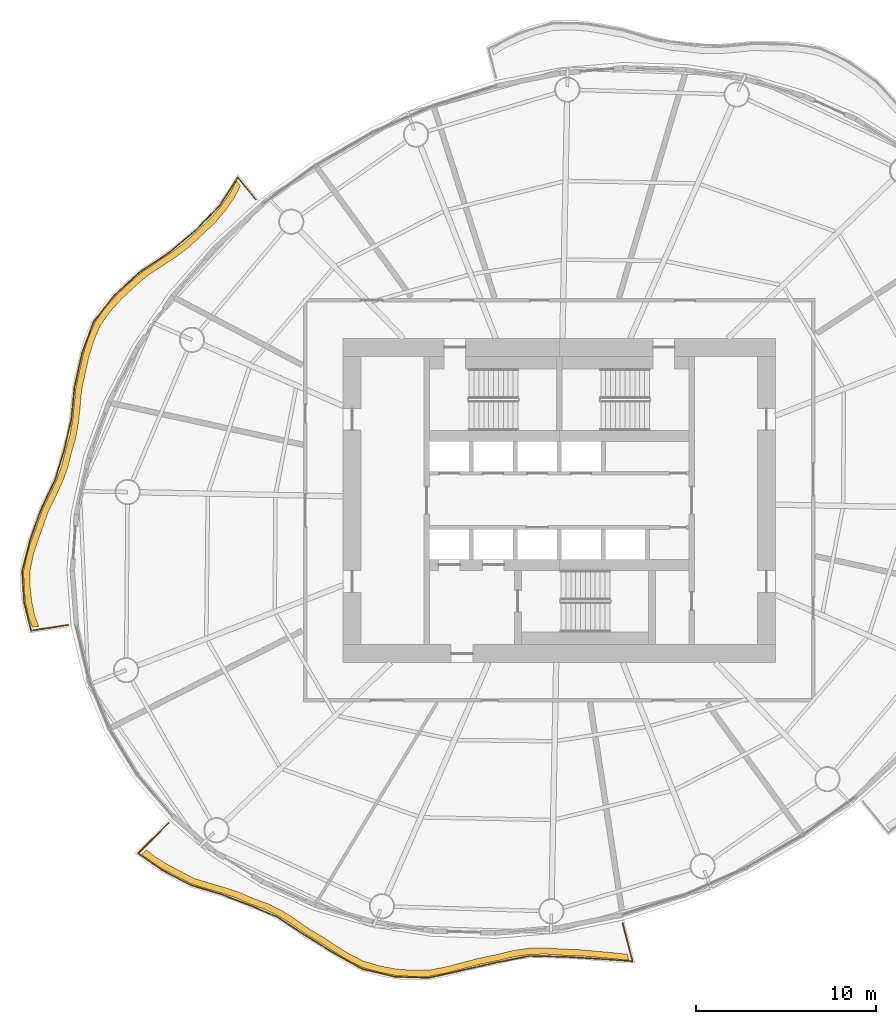
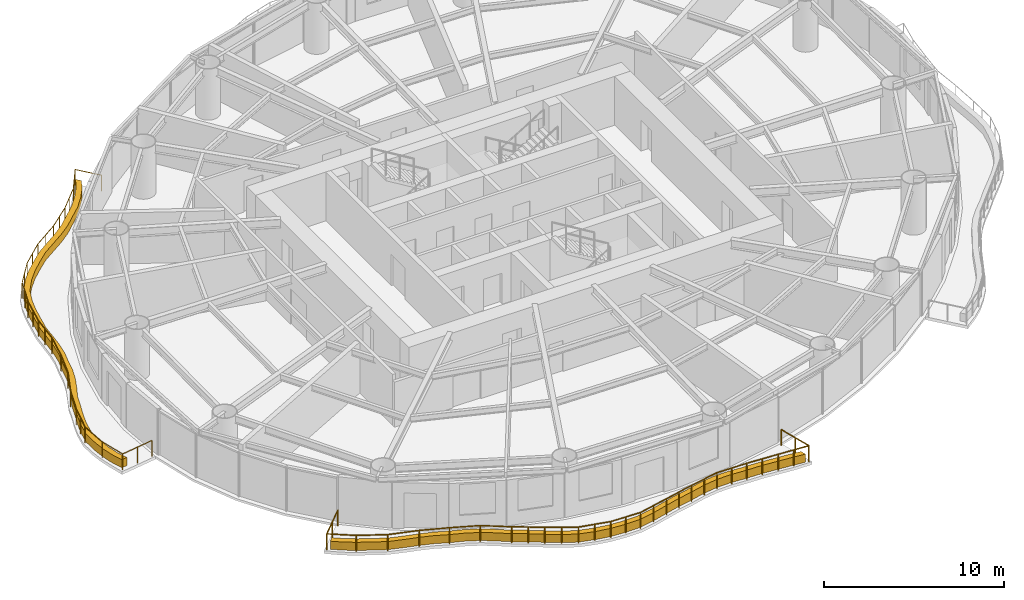
# One storey, part 12 of 14: 2 coverings, 2 railings.
"""IFC4 building model written with IfcOpenShell, lengths in metres."""

from ifc_helpers import new_model, si_unit, direction, frame, origin, origin_2d, place, context, subcontext, project, spatial, polyline, circle, outline, extrude, material, type_object, element, save


model = new_model("IFC4")

# Units and contexts
model_context = context("Model", 3, precision=1e-05, world=origin(), true_north=direction((0.0, 1.0)))
body_context = subcontext(model_context, "Body", "Model", "MODEL_VIEW")
ifc_project = project(units=[si_unit("LENGTHUNIT", "METRE"), si_unit("AREAUNIT", "SQUARE_METRE"), si_unit("VOLUMEUNIT", "CUBIC_METRE"), si_unit("PLANEANGLEUNIT", "RADIAN"), si_unit("MASSUNIT", "GRAM", prefix="KILO")], contexts=[model_context])

# Site, building, storey
site_placement = place(None, origin())
site = spatial("IfcSite", under=ifc_project, at=site_placement, CompositionType="ELEMENT")
building_placement = place(site_placement, origin())
building = spatial("IfcBuilding", under=site, at=building_placement, Name="Vermilion Reach Broadcast Tower", CompositionType="ELEMENT")
storey_placement = place(building_placement, frame((0.0, 0.0, 143.39990234375)))
storey = spatial("IfcBuildingStorey", under=building, at=storey_placement, Name="L33", CompositionType="ELEMENT", Elevation=143.39990234375)

# Coverings
ifc_material_1 = material(Name="Planting soil and greenery")
covering_type = type_object("IfcCoveringType", Name="Balcony PLANTER", PredefinedType="USERDEFINED", material=ifc_material_1)
placement = place(storey_placement, origin())
element("IfcCovering", 1, at=placement, inside=storey, type_object=covering_type, Name="PLANTER L33 group 2", ObjectType="PLANTER", PredefinedType="USERDEFINED", context=body_context, shape_type="SweptSolid", body=[
    extrude(outline(polyline([(-23.919921875, 17.73486328125), (-24.261474609375, 17.07177734375), (-24.797119140625, 16.309814453125), (-25.392333984375, 15.613037109375), (-26.103759765625, 14.954345703125), (-26.805419921875, 14.29931640625), (-27.534912109375, 13.748046875), (-28.310546875, 13.23681640625), (-29.17578125, 12.658935546875), (-29.938720703125, 11.986083984375), (-30.5966796875, 11.37353515625), (-31.187744140625, 10.71533203125), (-31.78271484375, 9.87841796875), (-32.174560546875, 8.947998046875), (-32.422607421875, 8.11181640625), (-32.61572265625, 7.24658203125), (-32.83251953125, 6.269775390625), (-32.924560546875, 5.297119140625), (-33.013916015625, 4.44091796875), (-33.1640625, 3.606689453125), (-33.41748046875, 2.734619140625), (-33.63330078125, 1.876220703125), (-33.916015625, 1.105224609375), (-34.2666015625, 0.34912109375), (-34.688232421875, -0.50830078125), (-34.993896484375, -1.396484375), (-35.281005859375, -2.17138671875), (-35.52978515625, -2.948974609375), (-35.731201171875, -3.909423828125), (-35.71142578125, -4.86669921875), (-35.62646484375, -5.6396484375), (-35.465087890625, -6.40673828125), (-35.249755859375, -7.0361328125), (-34.90380859375, -6.982421875), (-35.1162109375, -6.380126953125), (-35.277587890625, -5.613037109375), (-35.362548828125, -4.840087890625), (-35.38134765625, -3.90869140625), (-35.1806640625, -2.974365234375), (-34.931884765625, -2.19677734375), (-34.64501953125, -1.421875), (-34.341796875, -0.55859375), (-33.9248046875, 0.2744140625), (-33.573974609375, 1.030517578125), (-33.291259765625, 1.801513671875), (-33.081298828125, 2.636962890625), (-32.835205078125, 3.48681640625), (-32.68505859375, 4.32080078125), (-32.595703125, 5.17724609375), (-32.51220703125, 6.12890625), (-32.304931640625, 7.08544921875), (-32.112060546875, 7.950439453125), (-31.86376953125, 8.786865234375), (-31.482421875, 9.698486328125), (-30.89892578125, 10.517333984375), (-30.307861328125, 11.17578125), (-29.64990234375, 11.788330078125), (-28.89892578125, 12.444580078125), (-28.046875, 13.006591796875), (-27.271240234375, 13.517822265625), (-26.541748046875, 14.069091796875), (-25.853271484375, 14.709716796875), (-25.15625, 15.3544921875), (-24.56103515625, 16.05126953125), (-24.025390625, 16.8134765625), (-23.6982421875, 17.464111328125), (-23.919921875, 17.73486328125)])), origin(), (0.0, 0.0, 1.0), 0.550048828125),
])
element("IfcCovering", 2, at=placement, inside=storey, type_object=covering_type, Name="PLANTER L33 group 3", ObjectType="PLANTER", PredefinedType="USERDEFINED", context=body_context, shape_type="SweptSolid", body=[
    extrude(outline(polyline([(-29.177001953125, -19.64208984375), (-28.645263671875, -20.04638671875), (-27.981201171875, -20.4658203125), (-27.276611328125, -20.838134765625), (-26.436767578125, -21.27099609375), (-25.515625, -21.5634765625), (-24.720703125, -21.789794921875), (-23.946044921875, -22.048095703125), (-23.13671875, -22.400146484375), (-22.29833984375, -22.71044921875), (-21.5673828125, -23.069091796875), (-20.870361328125, -23.503662109375), (-20.11572265625, -24.039794921875), (-19.289794921875, -24.524658203125), (-18.558349609375, -25.0009765625), (-17.82275390625, -25.462158203125), (-16.93212890625, -25.919677734375), (-15.9580078125, -26.192626953125), (-15.115966796875, -26.35205078125), (-14.2587890625, -26.416259765625), (-13.254150390625, -26.41552734375), (-12.234130859375, -26.22119140625), (-11.34912109375, -25.98681640625), (-10.464111328125, -25.75439453125), (-9.507080078125, -25.564453125), (-8.5546875, -25.331298828125), (-7.66748046875, -25.201416015625), (-6.771240234375, -25.1767578125), (-5.79638671875, -25.24365234375), (-4.79052734375, -25.27490234375), (-3.845703125, -25.361328125), (-2.900634765625, -25.44775390625), (-2.136962890625, -25.528076171875), (-2.224609375, -25.189208984375), (-2.969482421875, -25.104736328125), (-3.91455078125, -25.01806640625), (-4.859375, -24.931640625), (-5.845703125, -24.897216796875), (-6.801025390625, -24.828125), (-7.697265625, -24.852783203125), (-8.58447265625, -24.982421875), (-9.516357421875, -25.214599609375), (-10.452880859375, -25.404541015625), (-11.337890625, -25.636962890625), (-12.22314453125, -25.871337890625), (-13.2216796875, -26.067138671875), (-14.205078125, -26.0703125), (-15.062255859375, -26.006103515625), (-15.904296875, -25.8466796875), (-16.8564453125, -25.577880859375), (-17.725341796875, -25.1259765625), (-18.4609375, -24.664794921875), (-19.192138671875, -24.188720703125), (-19.995849609375, -23.7109375), (-20.728271484375, -23.183837890625), (-21.42529296875, -22.749267578125), (-22.15625, -22.390625), (-22.972412109375, -22.091064453125), (-23.760009765625, -21.75146484375), (-24.534912109375, -21.4931640625), (-25.329833984375, -21.266845703125), (-26.2294921875, -20.9892578125), (-27.048583984375, -20.572509765625), (-27.75341796875, -20.2001953125), (-28.41748046875, -19.78076171875), (-28.929443359375, -19.394775390625), (-29.177001953125, -19.64208984375)])), origin(), (0.0, 0.0, 1.0), 0.550048828125),
])

# Railings
ifc_material_2 = material(Name="Stainless steel 316 balustrade", Category="steel")
railing_type = type_object("IfcRailingType", Name="Balcony guard 1100", PredefinedType="BALUSTRADE", material=ifc_material_2)
railing_1_placement = place(storey_placement, frame((-22.841796875, 16.700927734375, 0.0)))
element("IfcRailing", 3, at=railing_1_placement, inside=storey, type_object=railing_type, Name="Balcony guard L33 group 2", PredefinedType="BALUSTRADE", context=body_context, shape_type="SweptSolid", body=[
    extrude(circle(Radius=0.02490234375, at=origin_2d()), frame((0.0, 0.0, 1.0751953125), z_axis=(-0.633195522894, 0.773991879664, 0.0), x_axis=(-0.773991879664, -0.633195522894, 0.0)), (0.0, 0.0, 1.0), 1.57275390625),
    extrude(circle(Radius=0.02490234375, at=origin_2d()), frame((-0.995849609375, 1.21728515625, 1.0751953125), z_axis=(-0.5474056881, -0.836867380554, 0.0), x_axis=(0.836867380554, -0.5474056881, 0.0)), (0.0, 0.0, 1.0), 1.851318359375),
    extrude(circle(Radius=0.02490234375, at=origin_2d()), frame((-2.00927734375, -0.33203125, 1.0751953125), z_axis=(-0.694051772582, -0.719925091225, 0.0), x_axis=(0.719925091225, -0.694051772582, 0.0)), (0.0, 0.0, 1.0), 1.88720703125),
    extrude(circle(Radius=0.02490234375, at=origin_2d()), frame((-3.319091796875, -1.690673828125, 1.0751953125), z_axis=(-0.7644217307, -0.644716540531, 0.0), x_axis=(0.644716540531, -0.7644217307, 0.0)), (0.0, 0.0, 1.0), 1.87646484375),
    extrude(circle(Radius=0.02490234375, at=origin_2d()), frame((-4.75341796875, -2.900390625, 1.0751953125), z_axis=(-0.832829693073, -0.553529314793, 0.0), x_axis=(0.553529314793, -0.832829693073, 0.0)), (0.0, 0.0, 1.0), 1.9736328125),
    extrude(circle(Radius=0.02490234375, at=origin_2d()), frame((-6.397216796875, -3.992919921875, 1.0751953125), z_axis=(-0.741261655069, -0.671216178831, 0.0), x_axis=(0.671216178831, -0.741261655069, 0.0)), (0.0, 0.0, 1.0), 1.92041015625),
    extrude(circle(Radius=0.02490234375, at=origin_2d()), frame((-7.82080078125, -5.281982421875, 1.0751953125), z_axis=(-0.621219147421, -0.783636887135, 0.0), x_axis=(0.783636887135, -0.621219147421, 0.0)), (0.0, 0.0, 1.0), 1.91357421875),
    extrude(circle(Radius=0.02490234375, at=origin_2d()), frame((-9.009521484375, -6.781494140625, 1.0751953125), z_axis=(-0.34096254177, -0.940076882553, 0.0), x_axis=(0.940076882553, -0.34096254177, 0.0)), (0.0, 0.0, 1.0), 1.8837890625),
    extrude(circle(Radius=0.02490234375, at=origin_2d()), frame((-9.65185546875, -8.552490234375, 1.0751953125), z_axis=(-0.217832179543, -0.975986240454, 0.0), x_axis=(0.975986240454, -0.217832179543, 0.0)), (0.0, 0.0, 1.0), 1.891845703125),
    extrude(circle(Radius=0.02490234375, at=origin_2d()), frame((-10.06396484375, -10.39892578125, 1.0751953125), z_axis=(-0.099490602428, -0.995038501782, 0.0), x_axis=(0.995038501782, -0.099490602428, 0.0)), (0.0, 0.0, 1.0), 1.8427734375),
    extrude(circle(Radius=0.02490234375, at=origin_2d()), frame((-10.247314453125, -12.232666015625, 1.0751953125), z_axis=(-0.230431793932, -0.973088479197, 0.0), x_axis=(0.973088479197, -0.230431793932, 0.0)), (0.0, 0.0, 1.0), 1.7587890625),
    extrude(circle(Radius=0.02490234375, at=origin_2d()), frame((-10.652587890625, -13.944091796875, 1.0751953125), z_axis=(-0.292389089633, -0.95629944069, 0.0), x_axis=(0.95629944069, -0.292389089633, 0.0)), (0.0, 0.0, 1.0), 1.709228515625),
    extrude(circle(Radius=0.02490234375, at=origin_2d()), frame((-11.15234375, -15.57861328125, 1.0751953125), z_axis=(-0.430920996247, -0.902389658071, 0.0), x_axis=(0.902389658071, -0.430920996247, 0.0)), (0.0, 0.0, 1.0), 1.794189453125),
    extrude(circle(Radius=0.02490234375, at=origin_2d()), frame((-11.925537109375, -17.19775390625, 1.0751953125), z_axis=(-0.335104847112, -0.942180843279, 0.0), x_axis=(0.942180843279, -0.335104847112, 0.0)), (0.0, 0.0, 1.0), 1.77099609375),
    extrude(circle(Radius=0.02490234375, at=origin_2d()), frame((-12.51904296875, -18.866455078125, 1.0751953125), z_axis=(-0.250054270996, -0.968231822219, 0.0), x_axis=(0.968231822219, -0.250054270996, 0.0)), (0.0, 0.0, 1.0), 1.80126953125),
    extrude(circle(Radius=0.02490234375, at=origin_2d()), frame((-12.969482421875, -20.610595703125, 1.0751953125), z_axis=(0.060359440853, -0.998176706751, 0.0), x_axis=(0.998176706751, 0.060359440853, 0.0)), (0.0, 0.0, 1.0), 1.7392578125),
    extrude(circle(Radius=0.02490234375, at=origin_2d()), frame((-12.864501953125, -22.3466796875, 1.0751953125), z_axis=(0.240137998972, -0.970738760661, 0.0), x_axis=(0.970738760661, 0.240137998972, 0.0)), (0.0, 0.0, 1.0), 1.629638671875),
    extrude(circle(Radius=0.02490234375, at=origin_2d()), frame((-12.47314453125, -23.9287109375, 1.0751953125), z_axis=(0.988207748289, 0.153119058977, 0.0), x_axis=(-0.153119058977, 0.988207748289, 0.0)), (0.0, 0.0, 1.0), 2.09033203125),
    extrude(circle(Radius=0.02490234375, at=origin_2d()), origin(), (0.0, 0.0, 1.0), 1.050048828125),
    extrude(circle(Radius=0.02490234375, at=origin_2d()), frame((-0.995849609375, 1.21728515625, 0.0)), (0.0, 0.0, 1.0), 1.050048828125),
    extrude(circle(Radius=0.02490234375, at=origin_2d()), frame((-1.50244140625, 0.442626953125, 0.0)), (0.0, 0.0, 1.0), 1.050048828125),
    extrude(circle(Radius=0.02490234375, at=origin_2d()), frame((-2.00927734375, -0.33203125, 0.0)), (0.0, 0.0, 1.0), 1.050048828125),
    extrude(circle(Radius=0.02490234375, at=origin_2d()), frame((-2.6640625, -1.01123046875, 0.0)), (0.0, 0.0, 1.0), 1.050048828125),
    extrude(circle(Radius=0.02490234375, at=origin_2d()), frame((-3.319091796875, -1.690673828125, 0.0)), (0.0, 0.0, 1.0), 1.050048828125),
    extrude(circle(Radius=0.02490234375, at=origin_2d()), frame((-4.0361328125, -2.29541015625, 0.0)), (0.0, 0.0, 1.0), 1.050048828125),
    extrude(circle(Radius=0.02490234375, at=origin_2d()), frame((-4.75341796875, -2.900390625, 0.0)), (0.0, 0.0, 1.0), 1.050048828125),
    extrude(circle(Radius=0.02490234375, at=origin_2d()), frame((-5.5751953125, -3.44677734375, 0.0)), (0.0, 0.0, 1.0), 1.050048828125),
    extrude(circle(Radius=0.02490234375, at=origin_2d()), frame((-6.397216796875, -3.992919921875, 0.0)), (0.0, 0.0, 1.0), 1.050048828125),
    extrude(circle(Radius=0.02490234375, at=origin_2d()), frame((-7.10888671875, -4.637451171875, 0.0)), (0.0, 0.0, 1.0), 1.050048828125),
    extrude(circle(Radius=0.02490234375, at=origin_2d()), frame((-7.82080078125, -5.281982421875, 0.0)), (0.0, 0.0, 1.0), 1.050048828125),
    extrude(circle(Radius=0.02490234375, at=origin_2d()), frame((-8.4150390625, -6.03173828125, 0.0)), (0.0, 0.0, 1.0), 1.050048828125),
    extrude(circle(Radius=0.02490234375, at=origin_2d()), frame((-9.009521484375, -6.781494140625, 0.0)), (0.0, 0.0, 1.0), 1.050048828125),
    extrude(circle(Radius=0.02490234375, at=origin_2d()), frame((-9.33056640625, -7.6669921875, 0.0)), (0.0, 0.0, 1.0), 1.050048828125),
    extrude(circle(Radius=0.02490234375, at=origin_2d()), frame((-9.65185546875, -8.552490234375, 0.0)), (0.0, 0.0, 1.0), 1.050048828125),
    extrude(circle(Radius=0.02490234375, at=origin_2d()), frame((-9.85791015625, -9.4755859375, 0.0)), (0.0, 0.0, 1.0), 1.050048828125),
    extrude(circle(Radius=0.02490234375, at=origin_2d()), frame((-10.06396484375, -10.39892578125, 0.0)), (0.0, 0.0, 1.0), 1.050048828125),
    extrude(circle(Radius=0.02490234375, at=origin_2d()), frame((-10.15576171875, -11.31591796875, 0.0)), (0.0, 0.0, 1.0), 1.050048828125),
    extrude(circle(Radius=0.02490234375, at=origin_2d()), frame((-10.247314453125, -12.232666015625, 0.0)), (0.0, 0.0, 1.0), 1.050048828125),
    extrude(circle(Radius=0.02490234375, at=origin_2d()), frame((-10.652587890625, -13.944091796875, 0.0)), (0.0, 0.0, 1.0), 1.050048828125),
    extrude(circle(Radius=0.02490234375, at=origin_2d()), frame((-11.15234375, -15.57861328125, 0.0)), (0.0, 0.0, 1.0), 1.050048828125),
    extrude(circle(Radius=0.02490234375, at=origin_2d()), frame((-11.925537109375, -17.19775390625, 0.0)), (0.0, 0.0, 1.0), 1.050048828125),
    extrude(circle(Radius=0.02490234375, at=origin_2d()), frame((-12.51904296875, -18.866455078125, 0.0)), (0.0, 0.0, 1.0), 1.050048828125),
    extrude(circle(Radius=0.02490234375, at=origin_2d()), frame((-12.744140625, -19.738525390625, 0.0)), (0.0, 0.0, 1.0), 1.050048828125),
    extrude(circle(Radius=0.02490234375, at=origin_2d()), frame((-12.969482421875, -20.610595703125, 0.0)), (0.0, 0.0, 1.0), 1.050048828125),
    extrude(circle(Radius=0.02490234375, at=origin_2d()), frame((-12.864501953125, -22.3466796875, 0.0)), (0.0, 0.0, 1.0), 1.050048828125),
    extrude(circle(Radius=0.02490234375, at=origin_2d()), frame((-12.47314453125, -23.9287109375, 0.0)), (0.0, 0.0, 1.0), 1.050048828125),
    extrude(circle(Radius=0.02490234375, at=origin_2d()), frame((-11.4404296875, -23.7685546875, 0.0)), (0.0, 0.0, 1.0), 1.050048828125),
    extrude(circle(Radius=0.02490234375, at=origin_2d()), frame((-10.407470703125, -23.608642578125, 0.0)), (0.0, 0.0, 1.0), 1.050048828125),
])
railing_2_placement = place(storey_placement, frame((-27.680419921875, -17.894287109375, 0.0)))
element("IfcRailing", 4, at=railing_2_placement, inside=storey, type_object=railing_type, Name="Balcony guard L33 group 3", PredefinedType="BALUSTRADE", context=body_context, shape_type="SweptSolid", body=[
    extrude(circle(Radius=0.02490234375, at=origin_2d()), frame((0.0, 0.0, 1.0751953125), z_axis=(-0.707719967816, -0.706493062354, 0.0), x_axis=(0.706493062354, -0.707719967816, 0.0)), (0.0, 0.0, 1.0), 2.387939453125),
    extrude(circle(Radius=0.02490234375, at=origin_2d()), frame((-1.68994140625, -1.68701171875, 1.0751953125), z_axis=(0.816554476925, -0.577268383176, 0.0), x_axis=(0.577268383176, 0.816554476925, 0.0)), (0.0, 0.0, 1.0), 1.637451171875),
    extrude(circle(Radius=0.02490234375, at=origin_2d()), frame((-0.352783203125, -2.63232421875, 1.0751953125), z_axis=(0.886407894727, -0.462905005553, 0.0), x_axis=(0.462905005553, 0.886407894727, 0.0)), (0.0, 0.0, 1.0), 1.747314453125),
    extrude(circle(Radius=0.02490234375, at=origin_2d()), frame((1.196044921875, -3.441162109375, 1.0751953125), z_axis=(0.956962734978, -0.290210826579, 0.0), x_axis=(0.290210826579, 0.956962734978, 0.0)), (0.0, 0.0, 1.0), 1.798583984375),
    extrude(circle(Radius=0.02490234375, at=origin_2d()), frame((2.917236328125, -3.963134765625, 1.0751953125), z_axis=(0.932916371386, -0.360093104628, 0.0), x_axis=(0.360093104628, 0.932916371386, 0.0)), (0.0, 0.0, 1.0), 1.703125),
    extrude(circle(Radius=0.02490234375, at=origin_2d()), frame((4.506103515625, -4.576416015625, 1.0751953125), z_axis=(0.919807682108, -0.392369504339, 0.0), x_axis=(0.392369504339, 0.919807682108, 0.0)), (0.0, 0.0, 1.0), 1.711669921875),
    extrude(circle(Radius=0.02490234375, at=origin_2d()), frame((6.08056640625, -5.248046875, 1.0751953125), z_axis=(0.831621142782, -0.555343384653, 0.0), x_axis=(0.555343384653, 0.831621142782, 0.0)), (0.0, 0.0, 1.0), 1.75146484375),
    extrude(circle(Radius=0.02490234375, at=origin_2d()), frame((7.537109375, -6.220703125, 1.0751953125), z_axis=(0.851329309416, -0.524631686928, 0.0), x_axis=(0.524631686928, 0.851329309416, 0.0)), (0.0, 0.0, 1.0), 1.83544921875),
    extrude(circle(Radius=0.02490234375, at=origin_2d()), frame((9.099609375, -7.18359375, 1.0751953125), z_axis=(0.87105283665, -0.49118932782, 0.0), x_axis=(0.49118932782, 0.87105283665, 0.0)), (0.0, 0.0, 1.0), 1.872802734375),
    extrude(circle(Radius=0.02490234375, at=origin_2d()), frame((10.73095703125, -8.103515625, 1.0751953125), z_axis=(0.972841184188, -0.231473606157, 0.0), x_axis=(0.231473606157, 0.972841184188, 0.0)), (0.0, 0.0, 1.0), 1.8720703125),
    extrude(circle(Radius=0.02490234375, at=origin_2d()), frame((12.55224609375, -8.536865234375, 1.0751953125), z_axis=(0.999413427429, -0.034246183362, 0.0), x_axis=(0.034246183362, 0.999413427429, 0.0)), (0.0, 0.0, 1.0), 1.86767578125),
    extrude(circle(Radius=0.02490234375, at=origin_2d()), frame((14.4189453125, -8.600830078125, 1.0751953125), z_axis=(0.975747794911, 0.218897786024, 0.0), x_axis=(-0.218897786024, 0.975747794911, 0.0)), (0.0, 0.0, 1.0), 1.957275390625),
    extrude(circle(Radius=0.02490234375, at=origin_2d()), frame((16.328857421875, -8.17236328125, 1.0751953125), z_axis=(0.974856106869, 0.222835299944, 0.0), x_axis=(-0.222835299944, 0.974856106869, 0.0)), (0.0, 0.0, 1.0), 1.894287109375),
    extrude(circle(Radius=0.02490234375, at=origin_2d()), frame((18.175537109375, -7.750244140625, 1.0751953125), z_axis=(0.981146034091, 0.193267844682, 0.0), x_axis=(-0.193267844682, 0.981146034091, 0.0)), (0.0, 0.0, 1.0), 1.879638671875),
    extrude(circle(Radius=0.02490234375, at=origin_2d()), frame((20.019775390625, -7.386962890625, 1.0751953125), z_axis=(0.999752342057, -0.022254315346, 0.0), x_axis=(0.022254315346, 0.999752342057, 0.0)), (0.0, 0.0, 1.0), 1.8759765625),
    extrude(circle(Radius=0.02490234375, at=origin_2d()), frame((21.895263671875, -7.4287109375, 1.0751953125), z_axis=(0.998223722281, -0.059576843457, 0.0), x_axis=(0.059576843457, 0.998223722281, 0.0)), (0.0, 0.0, 1.0), 1.958740234375),
    extrude(circle(Radius=0.02490234375, at=origin_2d()), frame((23.8505859375, -7.54541015625, 1.0751953125), z_axis=(0.997618412768, -0.06897465118, 0.0), x_axis=(0.06897465118, 0.997618412768, 0.0)), (0.0, 0.0, 1.0), 1.8935546875),
    extrude(circle(Radius=0.02490234375, at=origin_2d()), frame((25.73974609375, -7.676025390625, 1.0751953125), z_axis=(-0.249976114985, 0.968252003322, 0.0), x_axis=(-0.968252003322, -0.249976114985, 0.0)), (0.0, 0.0, 1.0), 2.182861328125),
    extrude(circle(Radius=0.02490234375, at=origin_2d()), origin(), (0.0, 0.0, 1.0), 1.050048828125),
    extrude(circle(Radius=0.02490234375, at=origin_2d()), frame((-0.844970703125, -0.843505859375, 0.0)), (0.0, 0.0, 1.0), 1.050048828125),
    extrude(circle(Radius=0.02490234375, at=origin_2d()), frame((-1.68994140625, -1.68701171875, 0.0)), (0.0, 0.0, 1.0), 1.050048828125),
    extrude(circle(Radius=0.02490234375, at=origin_2d()), frame((-0.352783203125, -2.63232421875, 0.0)), (0.0, 0.0, 1.0), 1.050048828125),
    extrude(circle(Radius=0.02490234375, at=origin_2d()), frame((1.196044921875, -3.441162109375, 0.0)), (0.0, 0.0, 1.0), 1.050048828125),
    extrude(circle(Radius=0.02490234375, at=origin_2d()), frame((2.917236328125, -3.963134765625, 0.0)), (0.0, 0.0, 1.0), 1.050048828125),
    extrude(circle(Radius=0.02490234375, at=origin_2d()), frame((4.506103515625, -4.576416015625, 0.0)), (0.0, 0.0, 1.0), 1.050048828125),
    extrude(circle(Radius=0.02490234375, at=origin_2d()), frame((6.08056640625, -5.248046875, 0.0)), (0.0, 0.0, 1.0), 1.050048828125),
    extrude(circle(Radius=0.02490234375, at=origin_2d()), frame((7.537109375, -6.220703125, 0.0)), (0.0, 0.0, 1.0), 1.050048828125),
    extrude(circle(Radius=0.02490234375, at=origin_2d()), frame((8.318359375, -6.7021484375, 0.0)), (0.0, 0.0, 1.0), 1.050048828125),
    extrude(circle(Radius=0.02490234375, at=origin_2d()), frame((9.099609375, -7.18359375, 0.0)), (0.0, 0.0, 1.0), 1.050048828125),
    extrude(circle(Radius=0.02490234375, at=origin_2d()), frame((9.915283203125, -7.6435546875, 0.0)), (0.0, 0.0, 1.0), 1.050048828125),
    extrude(circle(Radius=0.02490234375, at=origin_2d()), frame((10.73095703125, -8.103515625, 0.0)), (0.0, 0.0, 1.0), 1.050048828125),
    extrude(circle(Radius=0.02490234375, at=origin_2d()), frame((11.6416015625, -8.3203125, 0.0)), (0.0, 0.0, 1.0), 1.050048828125),
    extrude(circle(Radius=0.02490234375, at=origin_2d()), frame((12.55224609375, -8.536865234375, 0.0)), (0.0, 0.0, 1.0), 1.050048828125),
    extrude(circle(Radius=0.02490234375, at=origin_2d()), frame((13.485595703125, -8.56884765625, 0.0)), (0.0, 0.0, 1.0), 1.050048828125),
    extrude(circle(Radius=0.02490234375, at=origin_2d()), frame((14.4189453125, -8.600830078125, 0.0)), (0.0, 0.0, 1.0), 1.050048828125),
    extrude(circle(Radius=0.02490234375, at=origin_2d()), frame((15.3740234375, -8.38671875, 0.0)), (0.0, 0.0, 1.0), 1.050048828125),
    extrude(circle(Radius=0.02490234375, at=origin_2d()), frame((16.328857421875, -8.17236328125, 0.0)), (0.0, 0.0, 1.0), 1.050048828125),
    extrude(circle(Radius=0.02490234375, at=origin_2d()), frame((17.252197265625, -7.96142578125, 0.0)), (0.0, 0.0, 1.0), 1.050048828125),
    extrude(circle(Radius=0.02490234375, at=origin_2d()), frame((18.175537109375, -7.750244140625, 0.0)), (0.0, 0.0, 1.0), 1.050048828125),
    extrude(circle(Radius=0.02490234375, at=origin_2d()), frame((19.09765625, -7.568603515625, 0.0)), (0.0, 0.0, 1.0), 1.050048828125),
    extrude(circle(Radius=0.02490234375, at=origin_2d()), frame((20.019775390625, -7.386962890625, 0.0)), (0.0, 0.0, 1.0), 1.050048828125),
    extrude(circle(Radius=0.02490234375, at=origin_2d()), frame((20.95751953125, -7.40771484375, 0.0)), (0.0, 0.0, 1.0), 1.050048828125),
    extrude(circle(Radius=0.02490234375, at=origin_2d()), frame((21.895263671875, -7.4287109375, 0.0)), (0.0, 0.0, 1.0), 1.050048828125),
    extrude(circle(Radius=0.02490234375, at=origin_2d()), frame((22.873046875, -7.487060546875, 0.0)), (0.0, 0.0, 1.0), 1.050048828125),
    extrude(circle(Radius=0.02490234375, at=origin_2d()), frame((23.8505859375, -7.54541015625, 0.0)), (0.0, 0.0, 1.0), 1.050048828125),
    extrude(circle(Radius=0.02490234375, at=origin_2d()), frame((24.795166015625, -7.61083984375, 0.0)), (0.0, 0.0, 1.0), 1.050048828125),
    extrude(circle(Radius=0.02490234375, at=origin_2d()), frame((25.73974609375, -7.676025390625, 0.0)), (0.0, 0.0, 1.0), 1.050048828125),
    extrude(circle(Radius=0.02490234375, at=origin_2d()), frame((25.466796875, -6.619140625, 0.0)), (0.0, 0.0, 1.0), 1.050048828125),
    extrude(circle(Radius=0.02490234375, at=origin_2d()), frame((25.194091796875, -5.5625, 0.0)), (0.0, 0.0, 1.0), 1.050048828125),
])

save(model, "model.ifc")
